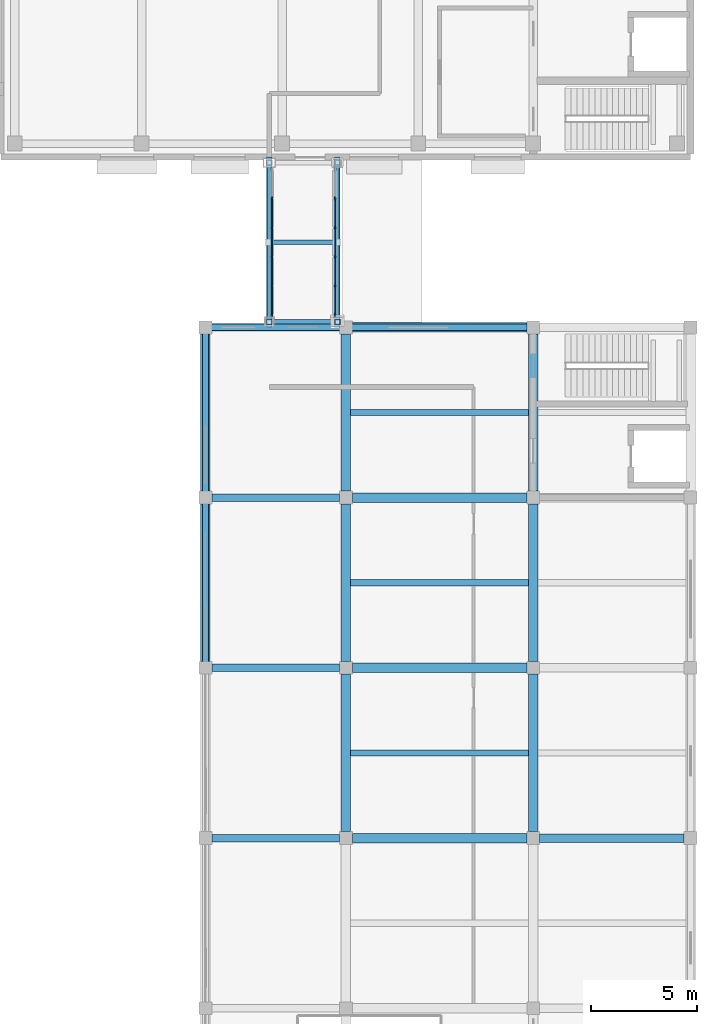
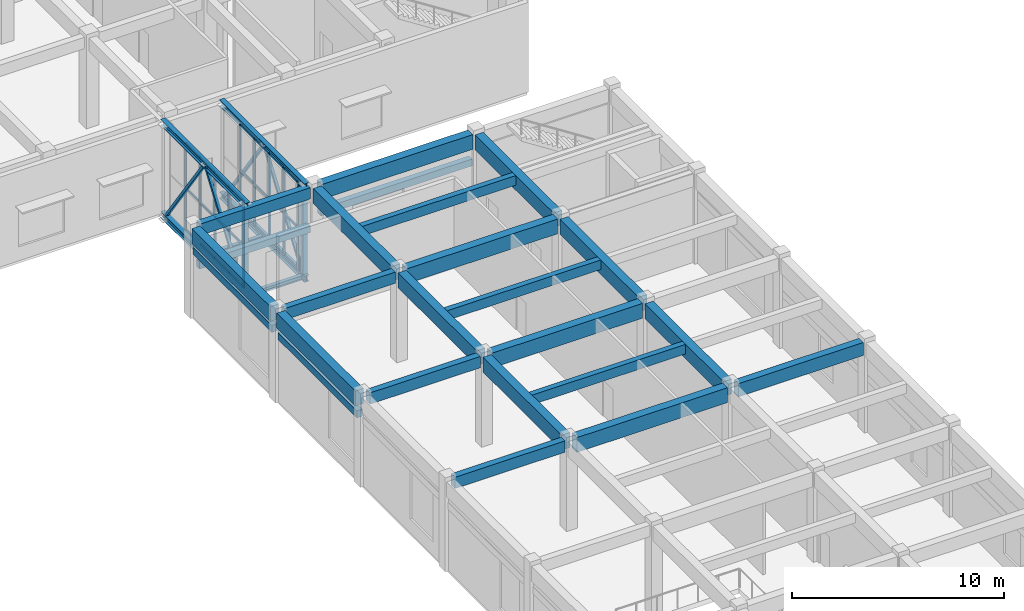
# One storey, part 23 of 64: 44 members, 26 beams, 2 elements without a shape of their own.
"""IFC4 building model written with IfcOpenShell, lengths in metres."""

from ifc_helpers import new_model, si_unit, direction, frame, origin, origin_2d, place, context, subcontext, project, spatial, rectangle, hollow_rectangle, i_section, extrude, material, layer, layer_set, material_profile, profile_set, type_object, element, aggregate, save


model = new_model("IFC4")

# Units and contexts
model_context = context("Model", 3, precision=1e-05, world=origin(), true_north=direction((0.0, 1.0)))
body_context = subcontext(model_context, "Body", "Model", "MODEL_VIEW")
ifc_project = project(units=[si_unit("LENGTHUNIT", "METRE"), si_unit("AREAUNIT", "SQUARE_METRE"), si_unit("VOLUMEUNIT", "CUBIC_METRE"), si_unit("PLANEANGLEUNIT", "RADIAN"), si_unit("MASSUNIT", "GRAM", prefix="KILO")], contexts=[model_context])

# Site, building, storey
site_placement = place(None, origin())
site = spatial("IfcSite", under=ifc_project, at=site_placement, CompositionType="ELEMENT")
building_placement = place(site_placement, origin())
building = spatial("IfcBuilding", under=site, at=building_placement, Name="Cinchona Park Media Centre", CompositionType="ELEMENT")
storey_placement = place(building_placement, frame((0.0, 0.0, 10.199951171875)))
storey = spatial("IfcBuildingStorey", under=building, at=storey_placement, Name="L02", CompositionType="ELEMENT", Elevation=10.199951171875)

# Beams
ifc_material_1 = material(Name="Concrete C35/45", Category="concrete")
ifc_material_profile_1 = material_profile(ifc_material_1, rectangle(XDim=0.39990234375, YDim=0.75, at=origin_2d()), Name="RB 400X750")
ifc_profile_set_1 = profile_set([ifc_material_profile_1], Name="Concrete C35/45")
beam_type_1 = type_object("IfcBeamType", Name="BEAM-B01-RB400X750", PredefinedType="BEAM", material=ifc_profile_set_1)
beam_1_placement = place(storey_placement, frame((164.89990234375, 39.60009765625, 4.775146484375), z_axis=(1.0, 0.0, 0.0), x_axis=(0.0, 1.0, 0.0)))
element("IfcBeam", 1, at=beam_1_placement, inside=storey, type_object=beam_type_1, Name="Beam B01 L02", PredefinedType="BEAM", context=body_context, shape_type="SweptSolid", body=[
    extrude(rectangle(XDim=0.39990234375, YDim=0.75, at=origin_2d()), origin(), (0.0, 0.0, 1.0), 6.800048828125),
])
ifc_material_2 = material(Name="Concrete C35/45", Category="concrete")
ifc_material_profile_2 = material_profile(ifc_material_2, rectangle(XDim=0.449951171875, YDim=0.85009765625, at=origin_2d()), Name="RB 450X850")
ifc_profile_set_2 = profile_set([ifc_material_profile_2], Name="Concrete C35/45")
beam_type_2 = type_object("IfcBeamType", Name="BEAM-B02-RB450X850", PredefinedType="BEAM", material=ifc_profile_set_2)
for number, where, z_axis, x_axis, name in (
    (2, (156.10009765625, 39.60009765625, 4.72509765625), (1.0, 0.0, 0.0), (0.0, 1.0, 0.0), "Beam B02 L02"),
    (3, (156.10009765625, 47.60009765625, 4.72509765625), (1.0, 0.0, 0.0), (0.0, 1.0, 0.0), "Beam B02 L02"),
    (4, (156.10009765625, 55.60009765625, 4.72509765625), (1.0, 0.0, 0.0), (0.0, 1.0, 0.0), "Beam B02 L02"),
    (5, (156.10009765625, 63.60009765625, 4.72509765625), (1.0, 0.0, 0.0), (0.0, 1.0, 0.0), "Beam B02 L02"),
):
    element("IfcBeam", number, at=place(storey_placement, frame(where, z_axis=z_axis, x_axis=x_axis)), inside=storey, type_object=beam_type_2, Name=name, PredefinedType="BEAM", context=body_context, shape_type="SweptSolid", body=[
        extrude(rectangle(XDim=0.449951171875, YDim=0.85009765625, at=origin_2d()), origin(), (0.0, 0.0, 1.0), 8.199951171875),
    ])
for number, where, z_axis, x_axis, name in (
    (6, (149.199951171875, 47.89990234375, 4.72509765625), (0.0, 1.0, 0.0), (-1.0, 0.0, 0.0), "Girder B02 L02"),
    (7, (149.199951171875, 55.89990234375, 4.72509765625), (0.0, 1.0, 0.0), (-1.0, 0.0, 0.0), "Girder B02 L02"),
    (8, (155.800048828125, 39.89990234375, 4.72509765625), (0.0, 1.0, 0.0), (-1.0, 0.0, 0.0), "Girder B02 L02"),
    (9, (155.800048828125, 47.89990234375, 4.72509765625), (0.0, 1.0, 0.0), (-1.0, 0.0, 0.0), "Girder B02 L02"),
    (10, (155.800048828125, 55.89990234375, 4.72509765625), (0.0, 1.0, 0.0), (-1.0, 0.0, 0.0), "Girder B02 L02"),
    (11, (164.60009765625, 39.89990234375, 4.72509765625), (0.0, 1.0, 0.0), (-1.0, 0.0, 0.0), "Girder B02 L02"),
    (12, (164.60009765625, 47.89990234375, 4.72509765625), (0.0, 1.0, 0.0), (-1.0, 0.0, 0.0), "Girder B02 L02"),
    (13, (164.60009765625, 55.89990234375, 4.72509765625), (0.0, 1.0, 0.0), (-1.0, 0.0, 0.0), "Girder B02 L02"),
):
    element("IfcBeam", number, at=place(storey_placement, frame(where, z_axis=z_axis, x_axis=x_axis)), inside=storey, type_object=beam_type_2, Name=name, PredefinedType="BEAM", context=body_context, shape_type="SweptSolid", body=[
        extrude(rectangle(XDim=0.449951171875, YDim=0.85009765625, at=origin_2d()), origin(), (0.0, 0.0, 1.0), 7.400146484375),
    ])
ifc_material_3 = material(Name="Concrete C35/45", Category="concrete")
ifc_material_profile_3 = material_profile(ifc_material_3, rectangle(XDim=0.35009765625, YDim=0.64990234375, at=origin_2d()), Name="RB 350X650")
ifc_profile_set_3 = profile_set([ifc_material_profile_3], Name="Concrete C35/45")
beam_type_3 = type_object("IfcBeamType", Name="BEAM-B04-RB350X650", PredefinedType="BEAM", material=ifc_profile_set_3)
for number, where, z_axis, x_axis, name in (
    (14, (149.5, 39.60009765625, 4.824951171875), (1.0, 0.0, 0.0), (0.0, 1.0, 0.0), "Beam B04 L02"),
    (15, (149.5, 47.60009765625, 4.824951171875), (1.0, 0.0, 0.0), (0.0, 1.0, 0.0), "Beam B04 L02"),
    (16, (149.5, 55.60009765625, 4.824951171875), (1.0, 0.0, 0.0), (0.0, 1.0, 0.0), "Beam B04 L02"),
    (17, (149.5, 63.60009765625, 4.824951171875), (1.0, 0.0, 0.0), (0.0, 1.0, 0.0), "Beam B04 L02"),
):
    element("IfcBeam", number, at=place(storey_placement, frame(where, z_axis=z_axis, x_axis=x_axis)), inside=storey, type_object=beam_type_3, Name=name, PredefinedType="BEAM", context=body_context, shape_type="SweptSolid", body=[
        extrude(rectangle(XDim=0.35009765625, YDim=0.64990234375, at=origin_2d()), origin(), (0.0, 0.0, 1.0), 6.0),
    ])
ifc_material_4 = material(Name="Steel S355", Category="steel")
ifc_material_profile_4 = material_profile(ifc_material_4, i_section(OverallWidth=0.202880859375, OverallDepth=0.251953125, WebThickness=0.008056640625, FlangeThickness=0.013427734375, at=origin_2d()), Name="W250X58")
ifc_profile_set_4 = profile_set([ifc_material_profile_4], Name="Steel S355")
beam_type_4 = type_object("IfcBeamType", Name="BEAM-B09-W250X58", PredefinedType="BEAM", material=ifc_profile_set_4)
for number, where, z_axis, x_axis, name in (
    (18, (152.340087890625, 63.860107421875, -0.14990234375), (1.0, 0.0, 0.0), (0.0, 1.0, 0.0), "Skybridge Cross Transom Beam B09 SB2"),
    (19, (152.340087890625, 67.60009765625, -0.14990234375), (1.0, 0.0, 0.0), (0.0, 1.0, 0.0), "Skybridge Cross Transom Beam B09 SB2"),
):
    element("IfcBeam", number, at=place(storey_placement, frame(where, z_axis=z_axis, x_axis=x_axis)), inside=storey, type_object=beam_type_4, Name=name, PredefinedType="BEAM", context=body_context, shape_type="SweptSolid", body=[
        extrude(i_section(OverallWidth=0.202880859375, OverallDepth=0.251953125, WebThickness=0.008056640625, FlangeThickness=0.013427734375, at=origin_2d()), origin(), (0.0, 0.0, 1.0), 2.919921875),
    ])
ifc_material_5 = material(Name="Concrete C35/45", Category="concrete")
ifc_material_profile_5 = material_profile(ifc_material_5, rectangle(XDim=0.300048828125, YDim=0.550048828125, at=origin_2d()), Name="RB 300X550")
ifc_profile_set_5 = profile_set([ifc_material_profile_5], Name="Concrete C35/45")
beam_type_5 = type_object("IfcBeamType", Name="BEAM-J01-RB300X550", PredefinedType="JOIST", material=ifc_profile_set_5)
for number, where, z_axis, x_axis, name in (
    (20, (156.02490234375, 43.60009765625, 4.875), (1.0, 0.0, 0.0), (0.0, 1.0, 0.0), "Floor Joist J01 L02"),
    (21, (156.02490234375, 51.60009765625, 4.875), (1.0, 0.0, 0.0), (0.0, 1.0, 0.0), "Floor Joist J01 L02"),
    (22, (156.02490234375, 59.60009765625, 4.875), (1.0, 0.0, 0.0), (0.0, 1.0, 0.0), "Floor Joist J01 L02"),
):
    element("IfcBeam", number, at=place(storey_placement, frame(where, z_axis=z_axis, x_axis=x_axis)), inside=storey, type_object=beam_type_5, Name=name, PredefinedType="JOIST", context=body_context, shape_type="SweptSolid", body=[
        extrude(rectangle(XDim=0.300048828125, YDim=0.550048828125, at=origin_2d()), origin(), (0.0, 0.0, 1.0), 8.35009765625),
    ])
ifc_material_6 = material(Name="Concrete C35/45", Category="concrete")
ifc_material_profile_6 = material_profile(ifc_material_6, rectangle(XDim=0.300048828125, YDim=0.39990234375, at=origin_2d()), Name="RL 300X400")
ifc_profile_set_6 = profile_set([ifc_material_profile_6], Name="Concrete C35/45")
beam_type_6 = type_object("IfcBeamType", Name="BEAM-LN02-RL300X400", PredefinedType="LINTEL", material=ifc_profile_set_6)
for number, where, z_axis, x_axis, name in (
    (23, (149.199951171875, 47.8798828125, 3.800048828125), (0.0, 1.0, 0.0), (-1.0, 0.0, 0.0), "Window Lintel LN02"),
    (24, (149.199951171875, 55.8798828125, 3.85009765625), (0.0, 1.0, 0.0), (-1.0, 0.0, 0.0), "Window Lintel LN02"),
):
    element("IfcBeam", number, at=place(storey_placement, frame(where, z_axis=z_axis, x_axis=x_axis)), inside=storey, type_object=beam_type_6, Name=name, PredefinedType="LINTEL", context=body_context, shape_type="SweptSolid", body=[
        extrude(rectangle(XDim=0.300048828125, YDim=0.39990234375, at=origin_2d()), origin(), (0.0, 0.0, 1.0), 7.440185546875),
    ])
beam_2_placement = place(storey_placement, frame((149.47998046875, 63.60009765625, 2.75), z_axis=(1.0, 0.0, 0.0), x_axis=(0.0, 1.0, 0.0)))
element("IfcBeam", 25, at=beam_2_placement, inside=storey, type_object=beam_type_6, Name="Window Lintel LN02", PredefinedType="LINTEL", context=body_context, shape_type="SweptSolid", body=[
    extrude(rectangle(XDim=0.300048828125, YDim=0.39990234375, at=origin_2d()), origin(), (0.0, 0.0, 1.0), 6.0400390625),
])
beam_3_placement = place(storey_placement, frame((156.080078125, 63.60009765625, 3.5), z_axis=(1.0, 0.0, 0.0), x_axis=(0.0, 1.0, 0.0)))
element("IfcBeam", 26, at=beam_3_placement, inside=storey, type_object=beam_type_6, Name="Window Lintel LN02", PredefinedType="LINTEL", context=body_context, shape_type="SweptSolid", body=[
    extrude(rectangle(XDim=0.300048828125, YDim=0.39990234375, at=origin_2d()), origin(), (0.0, 0.0, 1.0), 8.239990234375),
])

# Members
ifc_material_7 = material(Name="Steel S355", Category="steel")
ifc_material_profile_7 = material_profile(ifc_material_7, i_section(OverallWidth=0.257080078125, OverallDepth=0.363037109375, WebThickness=0.012939453125, FlangeThickness=0.021728515625, at=origin_2d()), Name="W360X122")
ifc_profile_set_7 = profile_set([ifc_material_profile_7], Name="Steel S355")
member_type_1 = type_object("IfcMemberType", Name="MEMBER-TC04-W360X122", PredefinedType="CHORD", material=ifc_profile_set_7)
for number, where, z_axis, x_axis, name in (
    (27, (152.199951171875, 63.60009765625, -0.14990234375), (0.0, 1.0, 0.0), (-1.0, 0.0, 0.0), "Skybridge Truss Bottom Chord TC04 SB2"),
    (28, (152.199951171875, 63.60009765625, 5.150146484375), (0.0, 1.0, 0.0), (-1.0, 0.0, 0.0), "Skybridge Truss Top Chord TC04 SB2"),
    (29, (155.39990234375, 63.60009765625, -0.14990234375), (0.0, 1.0, 0.0), (-1.0, 0.0, 0.0), "Skybridge Truss Bottom Chord TC04 SB2"),
    (30, (155.39990234375, 63.60009765625, 5.150146484375), (0.0, 1.0, 0.0), (-1.0, 0.0, 0.0), "Skybridge Truss Top Chord TC04 SB2"),
):
    element("IfcMember", number, at=place(storey_placement, frame(where, z_axis=z_axis, x_axis=x_axis)), inside=storey, type_object=member_type_1, Name=name, PredefinedType="CHORD", context=body_context, shape_type="SweptSolid", body=[
        extrude(i_section(OverallWidth=0.257080078125, OverallDepth=0.363037109375, WebThickness=0.012939453125, FlangeThickness=0.021728515625, at=origin_2d()), origin(), (0.0, 0.0, 1.0), 8.0),
    ])
ifc_material_8 = material(Name="Steel S355", Category="steel")
ifc_material_profile_8 = material_profile(ifc_material_8, hollow_rectangle(XDim=0.25, YDim=0.25, WallThickness=0.01611328125, at=origin_2d()), Name="250X250X16SHS")
ifc_profile_set_8 = profile_set([ifc_material_profile_8], Name="Steel S355")
member_type_2 = type_object("IfcMemberType", Name="MEMBER-TS02-SHS250X250X16", PredefinedType="STRUT", material=ifc_profile_set_8)
for number, where, z_axis, x_axis, name in (
    (31, (152.199951171875, 63.860107421875, -0.300048828125), (0.0, 0.0, 1.0), (1.0, 0.0, 0.0), "Skybridge Truss End Post TS02 SB2"),
    (32, (155.39990234375, 63.860107421875, -0.300048828125), (0.0, 0.0, 1.0), (1.0, 0.0, 0.0), "Skybridge Truss End Post TS02 SB2"),
):
    element("IfcMember", number, at=place(storey_placement, frame(where, z_axis=z_axis, x_axis=x_axis)), inside=storey, type_object=member_type_2, Name=name, PredefinedType="STRUT", context=body_context, shape_type="SweptSolid", body=[
        extrude(hollow_rectangle(XDim=0.25, YDim=0.25, WallThickness=0.01611328125, at=origin_2d()), origin(), (0.0, 0.0, 1.0), 5.4501953125),
    ])
ifc_material_9 = material(Name="Steel S355", Category="steel")
ifc_material_profile_9 = material_profile(ifc_material_9, hollow_rectangle(XDim=0.14990234375, YDim=0.14990234375, WallThickness=0.010009765625, at=origin_2d()), Name="150X150X10SHS")
ifc_profile_set_9 = profile_set([ifc_material_profile_9], Name="Steel S355")
member_type_3 = type_object("IfcMemberType", Name="MEMBER-TS03-SHS150X150X10", PredefinedType="STRUT", material=ifc_profile_set_9)
for number, where, z_axis, x_axis, name in (
    (33, (152.199951171875, 63.860107421875, -0.14990234375), (0.0, 0.576557590035, 0.817056512962), (-1.0, 0.0, 0.0), "Skybridge Truss Web Diagonal SB2"),
    (34, (152.199951171875, 67.60009765625, 5.150146484375), (0.0, 0.576557590035, -0.817056512962), (-1.0, 0.0, 0.0), "Skybridge Truss Web Diagonal SB2"),
    (35, (155.39990234375, 63.860107421875, -0.14990234375), (0.0, 0.576557590035, 0.817056512962), (-1.0, 0.0, 0.0), "Skybridge Truss Web Diagonal SB2"),
    (36, (155.39990234375, 67.60009765625, 5.150146484375), (0.0, 0.576557590035, -0.817056512962), (-1.0, 0.0, 0.0), "Skybridge Truss Web Diagonal SB2"),
):
    element("IfcMember", number, at=place(storey_placement, frame(where, z_axis=z_axis, x_axis=x_axis)), inside=storey, type_object=member_type_3, Name=name, PredefinedType="STRUT", context=body_context, shape_type="SweptSolid", body=[
        extrude(hollow_rectangle(XDim=0.14990234375, YDim=0.14990234375, WallThickness=0.010009765625, at=origin_2d()), origin(), (0.0, 0.0, 1.0), 6.48681640625),
    ])

# Curtain wall, members
ifc_material_10 = material(Name="Aluminium Curtain Wall Framing", Category="aluminium")
ifc_layer = layer(ifc_material_10, 0.195068359375)
ifc_layer_set = layer_set([ifc_layer], Name="Aluminium Curtain Wall Framing")
curtain_wall_type = type_object("IfcCurtainWallType", Name="CW-CW02", PredefinedType="USERDEFINED", material=ifc_layer_set)
curtain_wall_1_placement = place(storey_placement, origin())
curtain_wall_1 = element("IfcCurtainWall", 37, at=curtain_wall_1_placement, inside=storey, type_object=curtain_wall_type, Name="Skybridge SB2 Curtain Wall CW02 L02", ObjectType="UNITISED CURTAIN WALL", PredefinedType="USERDEFINED")
ifc_material_11 = material(Name="Anodised Aluminium Alloy 6063-T6", Category="aluminium")
ifc_material_profile_10 = material_profile(ifc_material_11, rectangle(XDim=0.06494140625, YDim=0.159912109375, at=origin_2d()), Name="MUL-65X160")
ifc_profile_set_10 = profile_set([ifc_material_profile_10], Name="Anodised Aluminium Alloy 6063-T6")
member_type_4 = type_object("IfcMemberType", Name="MULLION-MUL01", PredefinedType="MULLION", material=ifc_profile_set_10)
member_1_placement = place(storey_placement, frame((152.320068359375, 64.202392578125, 0.050048828125), z_axis=(0.0, 0.0, 1.0), x_axis=(-1.0, 0.0, 0.0)))
member_1 = element("IfcMember", 38, at=member_1_placement, type_object=member_type_4, Name="CW02 mullion 1", PredefinedType="MULLION", context=body_context, shape_type="SweptSolid", body=[
    extrude(rectangle(XDim=0.06494140625, YDim=0.159912109375, at=origin_2d()), origin(), (0.0, 0.0, 1.0), 5.050048828125),
])
member_2_placement = place(storey_placement, frame((152.320068359375, 65.5419921875, 0.050048828125), z_axis=(0.0, 0.0, 1.0), x_axis=(-1.0, 0.0, 0.0)))
member_2 = element("IfcMember", 39, at=member_2_placement, type_object=member_type_4, Name="CW02 mullion 2", PredefinedType="MULLION", context=body_context, shape_type="SweptSolid", body=[
    extrude(rectangle(XDim=0.06494140625, YDim=0.159912109375, at=origin_2d()), origin(), (0.0, 0.0, 1.0), 5.050048828125),
])
member_3_placement = place(storey_placement, frame((152.320068359375, 66.9140625, 0.050048828125), z_axis=(0.0, 0.0, 1.0), x_axis=(-1.0, 0.0, 0.0)))
member_3 = element("IfcMember", 40, at=member_3_placement, type_object=member_type_4, Name="CW02 mullion 3", PredefinedType="MULLION", context=body_context, shape_type="SweptSolid", body=[
    extrude(rectangle(XDim=0.06494140625, YDim=0.159912109375, at=origin_2d()), origin(), (0.0, 0.0, 1.0), 5.050048828125),
])
member_4_placement = place(storey_placement, frame((152.320068359375, 68.285888671875, 0.050048828125), z_axis=(0.0, 0.0, 1.0), x_axis=(-1.0, 0.0, 0.0)))
member_4 = element("IfcMember", 41, at=member_4_placement, type_object=member_type_4, Name="CW02 mullion 4", PredefinedType="MULLION", context=body_context, shape_type="SweptSolid", body=[
    extrude(rectangle(XDim=0.06494140625, YDim=0.159912109375, at=origin_2d()), origin(), (0.0, 0.0, 1.0), 5.050048828125),
])
member_5_placement = place(storey_placement, frame((152.320068359375, 69.657958984375, 0.050048828125), z_axis=(0.0, 0.0, 1.0), x_axis=(-1.0, 0.0, 0.0)))
member_5 = element("IfcMember", 42, at=member_5_placement, type_object=member_type_4, Name="CW02 mullion 5", PredefinedType="MULLION", context=body_context, shape_type="SweptSolid", body=[
    extrude(rectangle(XDim=0.06494140625, YDim=0.159912109375, at=origin_2d()), origin(), (0.0, 0.0, 1.0), 5.050048828125),
])

curtain_wall_2_placement = place(storey_placement, origin())
curtain_wall_2 = element("IfcCurtainWall", 43, at=curtain_wall_2_placement, inside=storey, type_object=curtain_wall_type, Name="Skybridge SB2 Curtain Wall CW02 L02", ObjectType="UNITISED CURTAIN WALL", PredefinedType="USERDEFINED")
member_6_placement = place(storey_placement, frame((155.280029296875, 69.657958984375, 0.050048828125), z_axis=(0.0, 0.0, 1.0), x_axis=(1.0, 0.0, 0.0)))
member_6 = element("IfcMember", 44, at=member_6_placement, type_object=member_type_4, Name="CW02 mullion 2", PredefinedType="MULLION", context=body_context, shape_type="SweptSolid", body=[
    extrude(rectangle(XDim=0.06494140625, YDim=0.159912109375, at=origin_2d()), origin(), (0.0, 0.0, 1.0), 5.050048828125),
])
member_7_placement = place(storey_placement, frame((155.280029296875, 68.285888671875, 0.050048828125), z_axis=(0.0, 0.0, 1.0), x_axis=(1.0, 0.0, 0.0)))
member_7 = element("IfcMember", 45, at=member_7_placement, type_object=member_type_4, Name="CW02 mullion 3", PredefinedType="MULLION", context=body_context, shape_type="SweptSolid", body=[
    extrude(rectangle(XDim=0.06494140625, YDim=0.159912109375, at=origin_2d()), origin(), (0.0, 0.0, 1.0), 5.050048828125),
])
member_8_placement = place(storey_placement, frame((155.280029296875, 66.9140625, 0.050048828125), z_axis=(0.0, 0.0, 1.0), x_axis=(1.0, 0.0, 0.0)))
member_8 = element("IfcMember", 46, at=member_8_placement, type_object=member_type_4, Name="CW02 mullion 4", PredefinedType="MULLION", context=body_context, shape_type="SweptSolid", body=[
    extrude(rectangle(XDim=0.06494140625, YDim=0.159912109375, at=origin_2d()), origin(), (0.0, 0.0, 1.0), 5.050048828125),
])
member_9_placement = place(storey_placement, frame((155.280029296875, 65.5419921875, 0.050048828125), z_axis=(0.0, 0.0, 1.0), x_axis=(1.0, 0.0, 0.0)))
member_9 = element("IfcMember", 47, at=member_9_placement, type_object=member_type_4, Name="CW02 mullion 5", PredefinedType="MULLION", context=body_context, shape_type="SweptSolid", body=[
    extrude(rectangle(XDim=0.06494140625, YDim=0.159912109375, at=origin_2d()), origin(), (0.0, 0.0, 1.0), 5.050048828125),
])
member_10_placement = place(storey_placement, frame((155.280029296875, 64.202392578125, 0.050048828125), z_axis=(0.0, 0.0, 1.0), x_axis=(1.0, 0.0, 0.0)))
member_10 = element("IfcMember", 48, at=member_10_placement, type_object=member_type_4, Name="CW02 mullion 6", PredefinedType="MULLION", context=body_context, shape_type="SweptSolid", body=[
    extrude(rectangle(XDim=0.06494140625, YDim=0.159912109375, at=origin_2d()), origin(), (0.0, 0.0, 1.0), 5.050048828125),
])

# Member
ifc_material_12 = material(Name="Anodised Aluminium Alloy 6063-T6", Category="aluminium")
ifc_material_profile_11 = material_profile(ifc_material_12, rectangle(XDim=0.06494140625, YDim=0.1201171875, at=origin_2d()), Name="TRN-65X120")
ifc_profile_set_11 = profile_set([ifc_material_profile_11], Name="Anodised Aluminium Alloy 6063-T6")
member_type_5 = type_object("IfcMemberType", Name="TRANSOM-TRN01", PredefinedType="USERDEFINED", material=ifc_profile_set_11)
member_11_placement = place(storey_placement, frame((152.320068359375, 64.235107421875, 0.08251953125), z_axis=(0.0, 1.0, 0.0), x_axis=(-1.0, 0.0, 0.0)))
member_11 = element("IfcMember", 49, at=member_11_placement, type_object=member_type_5, Name="CW02 transom 1.1", ObjectType="TRANSOM", PredefinedType="USERDEFINED", context=body_context, shape_type="SweptSolid", body=[
    extrude(rectangle(XDim=0.06494140625, YDim=0.1201171875, at=origin_2d()), origin(), (0.0, 0.0, 1.0), 1.2744140625),
])

member_12_placement = place(storey_placement, frame((152.320068359375, 64.235107421875, 2.47412109375), z_axis=(0.0, 1.0, 0.0), x_axis=(-1.0, 0.0, 0.0)))
member_12 = element("IfcMember", 50, at=member_12_placement, type_object=member_type_5, Name="CW02 transom 1.2", ObjectType="TRANSOM", PredefinedType="USERDEFINED", context=body_context, shape_type="SweptSolid", body=[
    extrude(rectangle(XDim=0.06494140625, YDim=0.1201171875, at=origin_2d()), origin(), (0.0, 0.0, 1.0), 1.2744140625),
])

member_13_placement = place(storey_placement, frame((152.320068359375, 64.235107421875, 5.067626953125), z_axis=(0.0, 1.0, 0.0), x_axis=(-1.0, 0.0, 0.0)))
member_13 = element("IfcMember", 51, at=member_13_placement, type_object=member_type_5, Name="CW02 transom 1.3", ObjectType="TRANSOM", PredefinedType="USERDEFINED", context=body_context, shape_type="SweptSolid", body=[
    extrude(rectangle(XDim=0.06494140625, YDim=0.1201171875, at=origin_2d()), origin(), (0.0, 0.0, 1.0), 1.2744140625),
])

member_14_placement = place(storey_placement, frame((152.320068359375, 65.574462890625, 0.08251953125), z_axis=(0.0, 1.0, 0.0), x_axis=(-1.0, 0.0, 0.0)))
member_14 = element("IfcMember", 52, at=member_14_placement, type_object=member_type_5, Name="CW02 transom 2.1", ObjectType="TRANSOM", PredefinedType="USERDEFINED", context=body_context, shape_type="SweptSolid", body=[
    extrude(rectangle(XDim=0.06494140625, YDim=0.1201171875, at=origin_2d()), origin(), (0.0, 0.0, 1.0), 1.30712890625),
])

member_15_placement = place(storey_placement, frame((152.320068359375, 65.574462890625, 2.47412109375), z_axis=(0.0, 1.0, 0.0), x_axis=(-1.0, 0.0, 0.0)))
member_15 = element("IfcMember", 53, at=member_15_placement, type_object=member_type_5, Name="CW02 transom 2.2", ObjectType="TRANSOM", PredefinedType="USERDEFINED", context=body_context, shape_type="SweptSolid", body=[
    extrude(rectangle(XDim=0.06494140625, YDim=0.1201171875, at=origin_2d()), origin(), (0.0, 0.0, 1.0), 1.30712890625),
])

member_16_placement = place(storey_placement, frame((152.320068359375, 65.574462890625, 5.067626953125), z_axis=(0.0, 1.0, 0.0), x_axis=(-1.0, 0.0, 0.0)))
member_16 = element("IfcMember", 54, at=member_16_placement, type_object=member_type_5, Name="CW02 transom 2.3", ObjectType="TRANSOM", PredefinedType="USERDEFINED", context=body_context, shape_type="SweptSolid", body=[
    extrude(rectangle(XDim=0.06494140625, YDim=0.1201171875, at=origin_2d()), origin(), (0.0, 0.0, 1.0), 1.30712890625),
])

member_17_placement = place(storey_placement, frame((152.320068359375, 66.946533203125, 0.08251953125), z_axis=(0.0, 1.0, 0.0), x_axis=(-1.0, 0.0, 0.0)))
member_17 = element("IfcMember", 55, at=member_17_placement, type_object=member_type_5, Name="CW02 transom 3.1", ObjectType="TRANSOM", PredefinedType="USERDEFINED", context=body_context, shape_type="SweptSolid", body=[
    extrude(rectangle(XDim=0.06494140625, YDim=0.1201171875, at=origin_2d()), origin(), (0.0, 0.0, 1.0), 1.306884765625),
])

member_18_placement = place(storey_placement, frame((152.320068359375, 66.946533203125, 2.47412109375), z_axis=(0.0, 1.0, 0.0), x_axis=(-1.0, 0.0, 0.0)))
member_18 = element("IfcMember", 56, at=member_18_placement, type_object=member_type_5, Name="CW02 transom 3.2", ObjectType="TRANSOM", PredefinedType="USERDEFINED", context=body_context, shape_type="SweptSolid", body=[
    extrude(rectangle(XDim=0.06494140625, YDim=0.1201171875, at=origin_2d()), origin(), (0.0, 0.0, 1.0), 1.306884765625),
])

member_19_placement = place(storey_placement, frame((152.320068359375, 66.946533203125, 5.067626953125), z_axis=(0.0, 1.0, 0.0), x_axis=(-1.0, 0.0, 0.0)))
member_19 = element("IfcMember", 57, at=member_19_placement, type_object=member_type_5, Name="CW02 transom 3.3", ObjectType="TRANSOM", PredefinedType="USERDEFINED", context=body_context, shape_type="SweptSolid", body=[
    extrude(rectangle(XDim=0.06494140625, YDim=0.1201171875, at=origin_2d()), origin(), (0.0, 0.0, 1.0), 1.306884765625),
])

member_20_placement = place(storey_placement, frame((152.320068359375, 68.318603515625, 0.08251953125), z_axis=(0.0, 1.0, 0.0), x_axis=(-1.0, 0.0, 0.0)))
member_20 = element("IfcMember", 58, at=member_20_placement, type_object=member_type_5, Name="CW02 transom 4.1", ObjectType="TRANSOM", PredefinedType="USERDEFINED", context=body_context, shape_type="SweptSolid", body=[
    extrude(rectangle(XDim=0.06494140625, YDim=0.1201171875, at=origin_2d()), origin(), (0.0, 0.0, 1.0), 1.306884765625),
])

member_21_placement = place(storey_placement, frame((152.320068359375, 68.318603515625, 2.47412109375), z_axis=(0.0, 1.0, 0.0), x_axis=(-1.0, 0.0, 0.0)))
member_21 = element("IfcMember", 59, at=member_21_placement, type_object=member_type_5, Name="CW02 transom 4.2", ObjectType="TRANSOM", PredefinedType="USERDEFINED", context=body_context, shape_type="SweptSolid", body=[
    extrude(rectangle(XDim=0.06494140625, YDim=0.1201171875, at=origin_2d()), origin(), (0.0, 0.0, 1.0), 1.306884765625),
])

member_22_placement = place(storey_placement, frame((152.320068359375, 68.318603515625, 5.067626953125), z_axis=(0.0, 1.0, 0.0), x_axis=(-1.0, 0.0, 0.0)))
member_22 = element("IfcMember", 60, at=member_22_placement, type_object=member_type_5, Name="CW02 transom 4.3", ObjectType="TRANSOM", PredefinedType="USERDEFINED", context=body_context, shape_type="SweptSolid", body=[
    extrude(rectangle(XDim=0.06494140625, YDim=0.1201171875, at=origin_2d()), origin(), (0.0, 0.0, 1.0), 1.306884765625),
])

aggregate(curtain_wall_1, [member_1, member_2, member_3, member_4, member_5, member_11, member_12, member_13, member_14, member_15, member_16, member_17, member_18, member_19, member_20, member_21, member_22])

member_23_placement = place(storey_placement, frame((155.280029296875, 69.62548828125, 0.08251953125), z_axis=(0.0, -1.0, 0.0), x_axis=(1.0, 0.0, 0.0)))
member_23 = element("IfcMember", 61, at=member_23_placement, type_object=member_type_5, Name="CW02 transom 2.1", ObjectType="TRANSOM", PredefinedType="USERDEFINED", context=body_context, shape_type="SweptSolid", body=[
    extrude(rectangle(XDim=0.06494140625, YDim=0.1201171875, at=origin_2d()), origin(), (0.0, 0.0, 1.0), 1.306884765625),
])

member_24_placement = place(storey_placement, frame((155.280029296875, 69.62548828125, 2.47412109375), z_axis=(0.0, -1.0, 0.0), x_axis=(1.0, 0.0, 0.0)))
member_24 = element("IfcMember", 62, at=member_24_placement, type_object=member_type_5, Name="CW02 transom 2.2", ObjectType="TRANSOM", PredefinedType="USERDEFINED", context=body_context, shape_type="SweptSolid", body=[
    extrude(rectangle(XDim=0.06494140625, YDim=0.1201171875, at=origin_2d()), origin(), (0.0, 0.0, 1.0), 1.306884765625),
])

member_25_placement = place(storey_placement, frame((155.280029296875, 69.62548828125, 5.067626953125), z_axis=(0.0, -1.0, 0.0), x_axis=(1.0, 0.0, 0.0)))
member_25 = element("IfcMember", 63, at=member_25_placement, type_object=member_type_5, Name="CW02 transom 2.3", ObjectType="TRANSOM", PredefinedType="USERDEFINED", context=body_context, shape_type="SweptSolid", body=[
    extrude(rectangle(XDim=0.06494140625, YDim=0.1201171875, at=origin_2d()), origin(), (0.0, 0.0, 1.0), 1.306884765625),
])

member_26_placement = place(storey_placement, frame((155.280029296875, 68.25341796875, 0.08251953125), z_axis=(0.0, -1.0, 0.0), x_axis=(1.0, 0.0, 0.0)))
member_26 = element("IfcMember", 64, at=member_26_placement, type_object=member_type_5, Name="CW02 transom 3.1", ObjectType="TRANSOM", PredefinedType="USERDEFINED", context=body_context, shape_type="SweptSolid", body=[
    extrude(rectangle(XDim=0.06494140625, YDim=0.1201171875, at=origin_2d()), origin(), (0.0, 0.0, 1.0), 1.306884765625),
])

member_27_placement = place(storey_placement, frame((155.280029296875, 68.25341796875, 2.47412109375), z_axis=(0.0, -1.0, 0.0), x_axis=(1.0, 0.0, 0.0)))
member_27 = element("IfcMember", 65, at=member_27_placement, type_object=member_type_5, Name="CW02 transom 3.2", ObjectType="TRANSOM", PredefinedType="USERDEFINED", context=body_context, shape_type="SweptSolid", body=[
    extrude(rectangle(XDim=0.06494140625, YDim=0.1201171875, at=origin_2d()), origin(), (0.0, 0.0, 1.0), 1.306884765625),
])

member_28_placement = place(storey_placement, frame((155.280029296875, 68.25341796875, 5.067626953125), z_axis=(0.0, -1.0, 0.0), x_axis=(1.0, 0.0, 0.0)))
member_28 = element("IfcMember", 66, at=member_28_placement, type_object=member_type_5, Name="CW02 transom 3.3", ObjectType="TRANSOM", PredefinedType="USERDEFINED", context=body_context, shape_type="SweptSolid", body=[
    extrude(rectangle(XDim=0.06494140625, YDim=0.1201171875, at=origin_2d()), origin(), (0.0, 0.0, 1.0), 1.306884765625),
])

member_29_placement = place(storey_placement, frame((155.280029296875, 66.881591796875, 0.08251953125), z_axis=(0.0, -1.0, 0.0), x_axis=(1.0, 0.0, 0.0)))
member_29 = element("IfcMember", 67, at=member_29_placement, type_object=member_type_5, Name="CW02 transom 4.1", ObjectType="TRANSOM", PredefinedType="USERDEFINED", context=body_context, shape_type="SweptSolid", body=[
    extrude(rectangle(XDim=0.06494140625, YDim=0.1201171875, at=origin_2d()), origin(), (0.0, 0.0, 1.0), 1.30712890625),
])

member_30_placement = place(storey_placement, frame((155.280029296875, 66.881591796875, 2.47412109375), z_axis=(0.0, -1.0, 0.0), x_axis=(1.0, 0.0, 0.0)))
member_30 = element("IfcMember", 68, at=member_30_placement, type_object=member_type_5, Name="CW02 transom 4.2", ObjectType="TRANSOM", PredefinedType="USERDEFINED", context=body_context, shape_type="SweptSolid", body=[
    extrude(rectangle(XDim=0.06494140625, YDim=0.1201171875, at=origin_2d()), origin(), (0.0, 0.0, 1.0), 1.30712890625),
])

member_31_placement = place(storey_placement, frame((155.280029296875, 66.881591796875, 5.067626953125), z_axis=(0.0, -1.0, 0.0), x_axis=(1.0, 0.0, 0.0)))
member_31 = element("IfcMember", 69, at=member_31_placement, type_object=member_type_5, Name="CW02 transom 4.3", ObjectType="TRANSOM", PredefinedType="USERDEFINED", context=body_context, shape_type="SweptSolid", body=[
    extrude(rectangle(XDim=0.06494140625, YDim=0.1201171875, at=origin_2d()), origin(), (0.0, 0.0, 1.0), 1.30712890625),
])

member_32_placement = place(storey_placement, frame((155.280029296875, 65.509521484375, 0.08251953125), z_axis=(0.0, -1.0, 0.0), x_axis=(1.0, 0.0, 0.0)))
member_32 = element("IfcMember", 70, at=member_32_placement, type_object=member_type_5, Name="CW02 transom 5.1", ObjectType="TRANSOM", PredefinedType="USERDEFINED", context=body_context, shape_type="SweptSolid", body=[
    extrude(rectangle(XDim=0.06494140625, YDim=0.1201171875, at=origin_2d()), origin(), (0.0, 0.0, 1.0), 1.2744140625),
])

member_33_placement = place(storey_placement, frame((155.280029296875, 65.509521484375, 2.47412109375), z_axis=(0.0, -1.0, 0.0), x_axis=(1.0, 0.0, 0.0)))
member_33 = element("IfcMember", 71, at=member_33_placement, type_object=member_type_5, Name="CW02 transom 5.2", ObjectType="TRANSOM", PredefinedType="USERDEFINED", context=body_context, shape_type="SweptSolid", body=[
    extrude(rectangle(XDim=0.06494140625, YDim=0.1201171875, at=origin_2d()), origin(), (0.0, 0.0, 1.0), 1.2744140625),
])

member_34_placement = place(storey_placement, frame((155.280029296875, 65.509521484375, 5.067626953125), z_axis=(0.0, -1.0, 0.0), x_axis=(1.0, 0.0, 0.0)))
member_34 = element("IfcMember", 72, at=member_34_placement, type_object=member_type_5, Name="CW02 transom 5.3", ObjectType="TRANSOM", PredefinedType="USERDEFINED", context=body_context, shape_type="SweptSolid", body=[
    extrude(rectangle(XDim=0.06494140625, YDim=0.1201171875, at=origin_2d()), origin(), (0.0, 0.0, 1.0), 1.2744140625),
])

aggregate(curtain_wall_2, [member_6, member_7, member_8, member_9, member_10, member_23, member_24, member_25, member_26, member_27, member_28, member_29, member_30, member_31, member_32, member_33, member_34])

save(model, "model.ifc")
